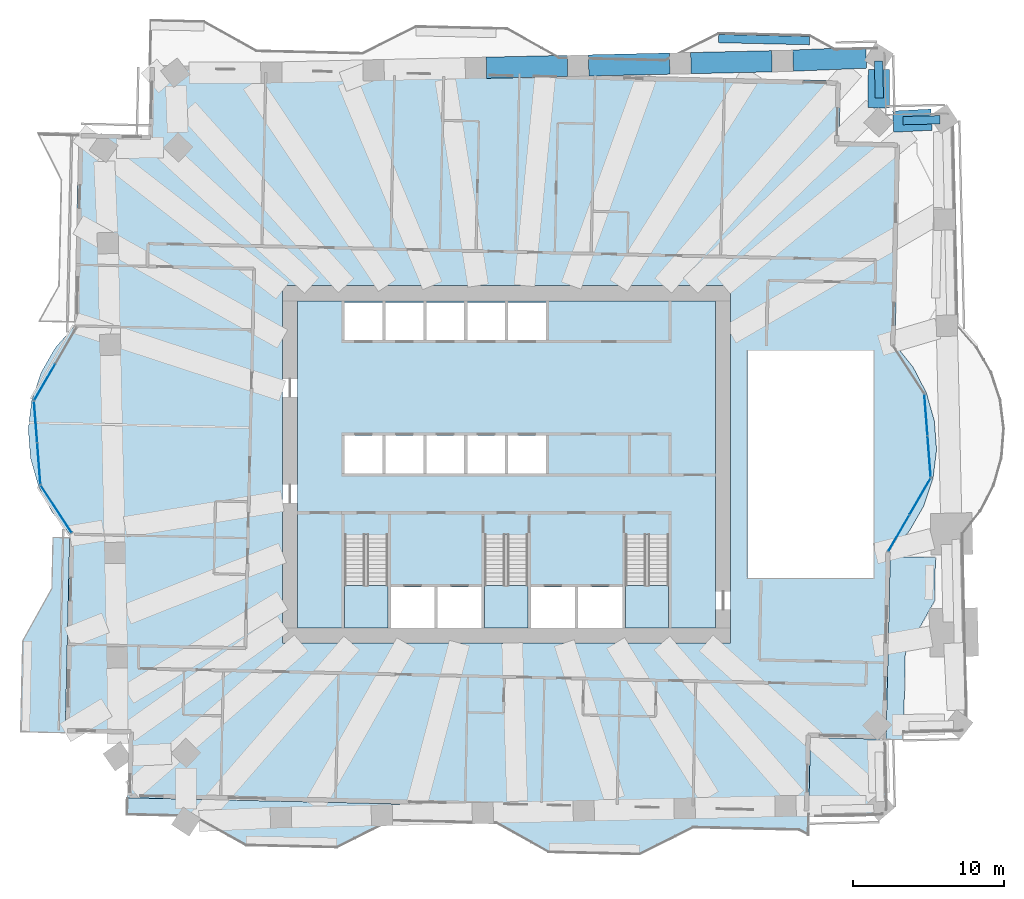
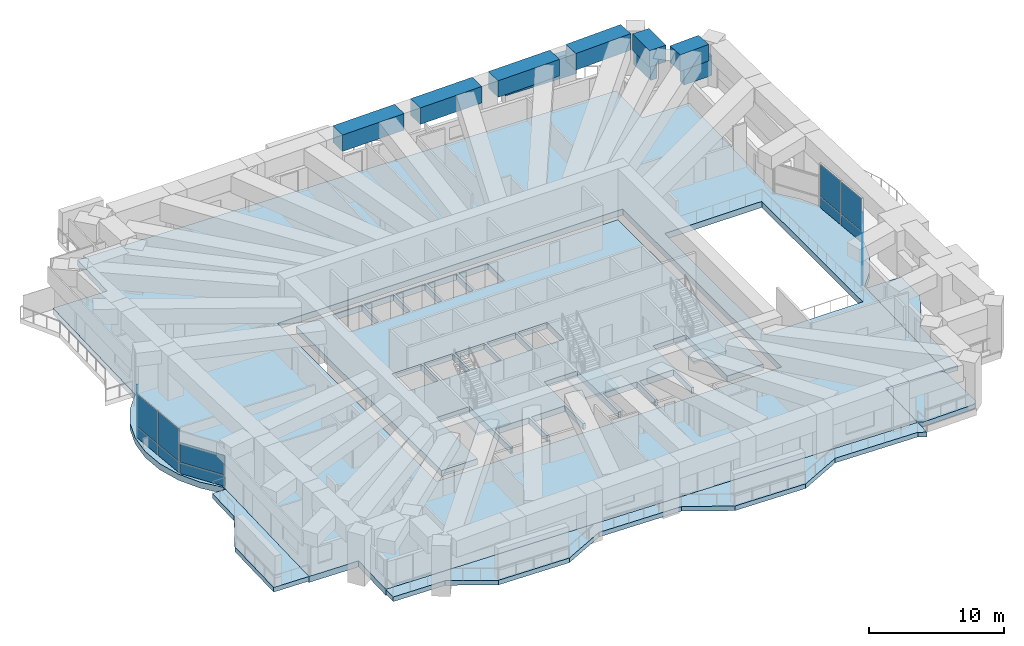
# One storey, part 8 of 20: 16 plates, 9 slabs, 6 beams, 3 members, 8 elements without a shape of their own.
"""IFC4 building model written with IfcOpenShell, lengths in metres."""

from ifc_helpers import new_model, si_unit, direction, frame, origin, origin_2d, place, context, subcontext, project, spatial, polyline, rectangle, outline, extrude, material, layer, layer_set, material_profile, profile_set, type_object, element, aggregate, save


model = new_model("IFC4")

# Units and contexts
model_context = context("Model", 3, precision=1e-05, world=origin(), true_north=direction((0.0, 1.0)))
body_context = subcontext(model_context, "Body", "Model", "MODEL_VIEW")
ifc_project = project(units=[si_unit("LENGTHUNIT", "METRE"), si_unit("AREAUNIT", "SQUARE_METRE"), si_unit("VOLUMEUNIT", "CUBIC_METRE"), si_unit("PLANEANGLEUNIT", "RADIAN"), si_unit("MASSUNIT", "GRAM", prefix="KILO")], contexts=[model_context])

# Site, building, storey
site_placement = place(None, origin())
site = spatial("IfcSite", under=ifc_project, at=site_placement, CompositionType="ELEMENT")
building_placement = place(site_placement, origin())
building = spatial("IfcBuilding", under=site, at=building_placement, Name="Mangrove Gate Tower", CompositionType="ELEMENT")
storey_placement = place(building_placement, frame((0.0, 0.0, 97.300048828125)))
storey = spatial("IfcBuildingStorey", under=building, at=storey_placement, Name="L24", CompositionType="ELEMENT", Elevation=97.300048828125)

# Members
ifc_material_1 = material(Name="Planting on aluminium trellis", Category="aluminium")
ifc_material_profile_1 = material_profile(ifc_material_1, rectangle(XDim=0.550048828125, YDim=2.0, at=origin_2d()))
ifc_profile_set_1 = profile_set([ifc_material_profile_1], Name="Planting on aluminium trellis")
member_type_1 = type_object("IfcMemberType", Name="Balcony greenery screen 550x2000", PredefinedType="USERDEFINED", material=ifc_profile_set_1)
member_placement = place(storey_placement, frame((14.0048828125, 28.117919921875, 1.800048828125), z_axis=(0.999743094499, -0.022665943652, 0.0), x_axis=(0.022665943652, 0.999743094499, 0.0)))
element("IfcMember", 1, at=member_placement, inside=storey, type_object=member_type_1, Name="GREEN SCREEN L24 N0.1", ObjectType="PLANTING", PredefinedType="USERDEFINED", context=body_context, shape_type="SweptSolid", body=[
    extrude(rectangle(XDim=0.550048828125, YDim=2.0, at=origin_2d()), origin(), (0.0, 0.0, 1.0), 5.99951171875),
])
ifc_material_2 = material(Name="Planting on aluminium trellis", Category="aluminium")
ifc_material_profile_2 = material_profile(ifc_material_2, rectangle(XDim=0.550048828125, YDim=1.800048828125, at=origin_2d()))
ifc_profile_set_2 = profile_set([ifc_material_profile_2], Name="Planting on aluminium trellis")
member_type_2 = type_object("IfcMemberType", Name="Roof greenery screen 550x1800", PredefinedType="USERDEFINED", material=ifc_profile_set_2)
for number, where, z_axis, x_axis, name in (
    (2, (24.56005859375, 26.626953125, 1.699951171875), (0.022935259676, -0.999736952335, 0.0), (0.999736952335, 0.022935259676, 0.0), "GREEN SCREEN L24 T1.1.6"),
    (3, (26.177001953125, 22.697998046875, 1.699951171875), (0.999746058046, 0.022534849034, 0.0), (-0.022534849034, 0.999746058046, 0.0), "GREEN SCREEN L24 T1.1.9"),
):
    element("IfcMember", number, at=place(storey_placement, frame(where, z_axis=z_axis, x_axis=x_axis)), inside=storey, type_object=member_type_2, Name=name, ObjectType="PLANTING", PredefinedType="USERDEFINED", context=body_context, shape_type="SweptSolid", body=[
        extrude(rectangle(XDim=0.550048828125, YDim=1.800048828125, at=origin_2d()), origin(), (0.0, 0.0, 1.0), 2.437744140625),
    ])

# Beams
ifc_material_3 = material(Name="Concrete C70/85", Category="concrete")
ifc_material_profile_3 = material_profile(ifc_material_3, rectangle(XDim=1.39990234375, YDim=1.5, at=origin_2d()))
ifc_profile_set_3 = profile_set([ifc_material_profile_3], Name="Concrete C70/85")
beam_type = type_object("IfcBeamType", Name="Transfer girder RC 1400x1500 C70/85", PredefinedType="BEAM", material=ifc_profile_set_3)
beam_1_placement = place(storey_placement, frame((28.0595703125, 22.76025390625, 3.300048828125), z_axis=(-0.998695122751, -0.051069088442, 0.0), x_axis=(0.051069088442, -0.998695122751, 0.0)))
element("IfcBeam", 4, at=beam_1_placement, inside=storey, type_object=beam_type, Name="Transfer ring girder L24 18", PredefinedType="BEAM", context=body_context, shape_type="SweptSolid", body=[
    extrude(rectangle(XDim=1.39990234375, YDim=1.5, at=origin_2d()), origin(), (0.0, 0.0, 1.0), 2.529052734375),
])
beam_2_placement = place(storey_placement, frame((24.57568359375, 23.547119140625, 3.300048828125), z_axis=(0.003483288012, 0.999993933334, 0.0), x_axis=(-0.999993933334, 0.003483288012, 0.0)))
element("IfcBeam", 5, at=beam_2_placement, inside=storey, type_object=beam_type, Name="Transfer ring girder L24 19", PredefinedType="BEAM", context=body_context, shape_type="SweptSolid", body=[
    extrude(rectangle(XDim=1.39990234375, YDim=1.5, at=origin_2d()), origin(), (0.0, 0.0, 1.0), 2.523193359375),
])
beam_3_placement = place(storey_placement, frame((23.74267578125, 26.857666015625, 3.300048828125), z_axis=(-0.999174978346, -0.040612346002, 0.0), x_axis=(0.040612346002, -0.999174978346, 0.0)))
element("IfcBeam", 6, at=beam_3_placement, inside=storey, type_object=beam_type, Name="Transfer ring girder L24 20", PredefinedType="BEAM", context=body_context, shape_type="SweptSolid", body=[
    extrude(rectangle(XDim=1.39990234375, YDim=1.5, at=origin_2d()), origin(), (0.0, 0.0, 1.0), 4.8271484375),
])
for number, where, z_axis, x_axis, name in (
    (7, (17.52001953125, 26.617431640625, 3.300048828125), (-0.999743035052, -0.022668565556, 0.0), (0.022668565556, -0.999743035052, 0.0), "Transfer ring girder L24 21"),
    (8, (10.76904296875, 26.46435546875, 3.300048828125), (-0.999743035052, -0.022668565556, 0.0), (0.022668565556, -0.999743035052, 0.0), "Transfer ring girder L24 22"),
):
    element("IfcBeam", number, at=place(storey_placement, frame(where, z_axis=z_axis, x_axis=x_axis)), inside=storey, type_object=beam_type, Name=name, PredefinedType="BEAM", context=body_context, shape_type="SweptSolid", body=[
        extrude(rectangle(XDim=1.39990234375, YDim=1.5, at=origin_2d()), origin(), (0.0, 0.0, 1.0), 5.352783203125),
    ])
beam_4_placement = place(storey_placement, frame((4.01806640625, 26.311279296875, 3.300048828125), z_axis=(-0.999743128778, -0.022664431647, 0.0), x_axis=(0.022664431647, -0.999743128778, 0.0)))
element("IfcBeam", 9, at=beam_4_placement, inside=storey, type_object=beam_type, Name="Transfer ring girder L24 23", PredefinedType="BEAM", context=body_context, shape_type="SweptSolid", body=[
    extrude(rectangle(XDim=1.39990234375, YDim=1.5, at=origin_2d()), origin(), (0.0, 0.0, 1.0), 5.353759765625),
])

# Slabs
ifc_material_4 = material(Name="Porcelain tile")
ifc_layer_1 = layer(ifc_material_4, 0.02001953125, Name="Tile finish")
ifc_material_5 = material(Name="Cement sand screed")
ifc_layer_2 = layer(ifc_material_5, 0.0400390625, Name="Screed laid to falls")
ifc_material_6 = material(Name="Bituminous waterproofing membrane")
ifc_layer_3 = layer(ifc_material_6, 0.00390625, Name="Waterproofing")
ifc_material_7 = material(Name="Concrete C40/50", Category="concrete")
ifc_layer_4 = layer(ifc_material_7, 0.340087890625, Name="Balcony structural slab")
ifc_material_8 = material(Name="Limestone", Category="masonry")
ifc_layer_5 = layer(ifc_material_8, 0.01611328125, Name="Soffit lining")
ifc_layer_set_1 = layer_set([ifc_layer_1, ifc_layer_2, ifc_layer_3, ifc_layer_4, ifc_layer_5], Name="Balcony slab 420 C40/50")
slab_type_1 = type_object("IfcSlabType", Name="Balcony slab 420 C40/50", PredefinedType="FLOOR", material=ifc_layer_set_1)
slab_1_placement = place(storey_placement, frame((0.0, 0.0, -0.420166015625)))
element("IfcSlab", 10, at=slab_1_placement, inside=storey, type_object=slab_type_1, Name="BALCONY L24 E0", PredefinedType="FLOOR", context=body_context, shape_type="SweptSolid", body=[
    extrude(outline(polyline([(26.200927734375, -18.18603515625), (26.330078125, -12.487060546875), (28.259033203125, -9.030029296875), (28.324951171875, -6.156005859375), (25.3349609375, -6.087890625), (25.27001953125, -8.9619140625), (25.19091796875, -12.4609375), (25.06103515625, -18.159912109375), (26.200927734375, -18.18603515625)])), origin(), (0.0, 0.0, 1.0), 0.420166015625),
])
slab_2_placement = place(storey_placement, frame((0.0, 0.0, -0.420166015625)))
element("IfcSlab", 11, at=slab_2_placement, inside=storey, type_object=slab_type_1, Name="BALCONY L24 W1", PredefinedType="FLOOR", context=body_context, shape_type="SweptSolid", body=[
    extrude(outline(polyline([(-29.998046875, -4.8330078125), (-30.074951171875, -8.20703125), (-32.00390625, -11.6640625), (-32.139892578125, -17.662109375), (-29.15087890625, -17.72998046875), (-29.014892578125, -11.73095703125), (-28.93505859375, -8.23193359375), (-28.85888671875, -4.85888671875), (-29.998046875, -4.8330078125)])), origin(), (0.0, 0.0, 1.0), 0.420166015625),
])
slab_3_placement = place(storey_placement, frame((0.0, 0.0, -0.420166015625)))
element("IfcSlab", 12, at=slab_3_placement, inside=storey, type_object=slab_type_1, Name="BALCONY L24 S0", PredefinedType="FLOOR", context=body_context, shape_type="SweptSolid", body=[
    extrude(outline(polyline([(-25.072998046875, -23.1640625), (-20.669921875, -23.263916015625), (-17.212890625, -25.193115234375), (-11.215087890625, -25.3291015625), (-7.673095703125, -23.55908203125), (-2.574951171875, -23.674072265625), (-0.675048828125, -23.718017578125), (2.781982421875, -25.64599609375), (8.780029296875, -25.782958984375), (12.321044921875, -24.012939453125), (19.320068359375, -24.1708984375), (19.916015625, -24.50390625), (19.948974609375, -23.044921875), (-25.047119140625, -22.02392578125), (-25.072998046875, -23.1640625)])), origin(), (0.0, 0.0, 1.0), 0.420166015625),
])
ifc_material_9 = material(Name="Concrete C40/50", Category="concrete")
ifc_layer_6 = layer(ifc_material_9, 0.550048828125)
ifc_layer_set_2 = layer_set([ifc_layer_6], Name="Core floor slab 550 C40/50")
slab_type_2 = type_object("IfcSlabType", Name="Core floor slab 550 C40/50", PredefinedType="FLOOR", material=ifc_layer_set_2)
slab_4_placement = place(storey_placement, frame((0.0, 0.0, -0.550048828125)))
element("IfcSlab", 13, at=slab_4_placement, inside=storey, type_object=slab_type_2, Name="SLAB-L24-CORE-1", PredefinedType="FLOOR", context=body_context, shape_type="SweptSolid", body=[
    extrude(outline(polyline([(-13.800048828125, -10.800048828125), (-13.800048828125, 10.800048828125), (13.800048828125, 10.800048828125), (13.800048828125, -10.800048828125), (10.699951171875, -10.800048828125), (10.699951171875, -4.653076171875), (7.85009765625, -4.653076171875), (7.85009765625, -10.800048828125), (7.64990234375, -10.800048828125), (7.64990234375, -8.10009765625), (4.72509765625, -8.10009765625), (4.72509765625, -10.800048828125), (4.52490234375, -10.800048828125), (4.52490234375, -8.10009765625), (1.60009765625, -8.10009765625), (1.60009765625, -10.800048828125), (1.39990234375, -10.800048828125), (1.39990234375, -4.653076171875), (-1.449951171875, -4.653076171875), (-1.449951171875, -10.800048828125), (-1.64990234375, -10.800048828125), (-1.64990234375, -8.10009765625), (-4.550048828125, -8.10009765625), (-4.550048828125, -10.800048828125), (-4.75, -10.800048828125), (-4.75, -8.10009765625), (-7.64990234375, -8.10009765625), (-7.64990234375, -10.800048828125), (-7.85009765625, -10.800048828125), (-7.85009765625, -4.653076171875), (-10.699951171875, -4.653076171875), (-10.699951171875, -10.800048828125), (-13.800048828125, -10.800048828125)]), holes=[polyline([(-8.199951171875, -0.60009765625), (-8.199951171875, 1.89990234375), (-10.699951171875, 1.89990234375), (-10.699951171875, -0.60009765625), (-8.199951171875, -0.60009765625)]), polyline([(-5.5, -0.60009765625), (-5.5, 1.89990234375), (-8.0, 1.89990234375), (-8.0, -0.60009765625), (-5.5, -0.60009765625)]), polyline([(-2.800048828125, -0.60009765625), (-2.800048828125, 1.89990234375), (-5.300048828125, 1.89990234375), (-5.300048828125, -0.60009765625), (-2.800048828125, -0.60009765625)]), polyline([(-8.199951171875, 8.199951171875), (-8.199951171875, 10.699951171875), (-10.699951171875, 10.699951171875), (-10.699951171875, 8.199951171875), (-8.199951171875, 8.199951171875)]), polyline([(-5.5, 8.199951171875), (-5.5, 10.699951171875), (-8.0, 10.699951171875), (-8.0, 8.199951171875), (-5.5, 8.199951171875)]), polyline([(-2.800048828125, 8.199951171875), (-2.800048828125, 10.699951171875), (-5.300048828125, 10.699951171875), (-5.300048828125, 8.199951171875), (-2.800048828125, 8.199951171875)]), polyline([(-0.10009765625, -0.60009765625), (-0.10009765625, 1.89990234375), (-2.60009765625, 1.89990234375), (-2.60009765625, -0.60009765625), (-0.10009765625, -0.60009765625)]), polyline([(2.60009765625, -0.60009765625), (2.60009765625, 1.89990234375), (0.10009765625, 1.89990234375), (0.10009765625, -0.60009765625), (2.60009765625, -0.60009765625)]), polyline([(-2.60009765625, 8.199951171875), (-0.10009765625, 8.199951171875), (-0.10009765625, 10.699951171875), (-2.60009765625, 10.699951171875), (-2.60009765625, 8.199951171875)]), polyline([(0.10009765625, 8.199951171875), (2.60009765625, 8.199951171875), (2.60009765625, 10.699951171875), (0.10009765625, 10.699951171875), (0.10009765625, 8.199951171875)])]), origin(), (0.0, 0.0, 1.0), 0.550048828125),
])

# Stair, slab
ifc_material_10 = material(Name="Concrete C40/50", Category="concrete")
stair_type = type_object("IfcStairType", Name="Core stair 1350", PredefinedType="HALF_TURN_STAIR", material=ifc_material_10)
stair_1_placement = place(storey_placement, origin())
stair_1 = element("IfcStair", 14, at=stair_1_placement, inside=storey, type_object=stair_type, Name="L24 Stair 1", PredefinedType="HALF_TURN_STAIR")
ifc_material_11 = material(Name="Concrete C40/50", Category="concrete")
ifc_layer_7 = layer(ifc_material_11, 0.199951171875)
ifc_layer_set_3 = layer_set([ifc_layer_7], Name="Core stair landing 200")
slab_type_3 = type_object("IfcSlabType", Name="Core stair landing 200", PredefinedType="LANDING", material=ifc_layer_set_3)
slab_5_placement = place(storey_placement, frame((0.0, 0.0, 2.099853515625)))
slab_5 = element("IfcSlab", 15, at=slab_5_placement, type_object=slab_type_3, Name="ST1 landing 1", PredefinedType="LANDING", context=body_context, shape_type="SweptSolid", body=[
    extrude(outline(polyline([(-10.699951171875, -8.010009765625), (-10.699951171875, -10.800048828125), (-7.85009765625, -10.800048828125), (-7.85009765625, -8.010009765625), (-10.699951171875, -8.010009765625)])), origin(), (0.0, 0.0, 1.0), 0.2001953125),
])
aggregate(stair_1, [slab_5])

stair_2_placement = place(storey_placement, origin())
stair_2 = element("IfcStair", 16, at=stair_2_placement, inside=storey, type_object=stair_type, Name="L24 Stair 2", PredefinedType="HALF_TURN_STAIR")
slab_6_placement = place(storey_placement, frame((0.0, 0.0, 2.099853515625)))
slab_6 = element("IfcSlab", 17, at=slab_6_placement, type_object=slab_type_3, Name="ST2 landing 1", PredefinedType="LANDING", context=body_context, shape_type="SweptSolid", body=[
    extrude(outline(polyline([(-1.449951171875, -8.010009765625), (-1.449951171875, -10.800048828125), (1.39990234375, -10.800048828125), (1.39990234375, -8.010009765625), (-1.449951171875, -8.010009765625)])), origin(), (0.0, 0.0, 1.0), 0.2001953125),
])
aggregate(stair_2, [slab_6])

stair_3_placement = place(storey_placement, origin())
stair_3 = element("IfcStair", 18, at=stair_3_placement, inside=storey, type_object=stair_type, Name="L24 Stair 3", PredefinedType="HALF_TURN_STAIR")
slab_7_placement = place(storey_placement, frame((0.0, 0.0, 2.099853515625)))
slab_7 = element("IfcSlab", 19, at=slab_7_placement, type_object=slab_type_3, Name="ST3 landing 1", PredefinedType="LANDING", context=body_context, shape_type="SweptSolid", body=[
    extrude(outline(polyline([(7.85009765625, -8.010009765625), (7.85009765625, -10.800048828125), (10.699951171875, -10.800048828125), (10.699951171875, -8.010009765625), (7.85009765625, -8.010009765625)])), origin(), (0.0, 0.0, 1.0), 0.2001953125),
])
aggregate(stair_3, [slab_7])

# Slab
ifc_material_12 = material(Name="Concrete C40/50", Category="concrete")
ifc_layer_8 = layer(ifc_material_12, 0.550048828125)
ifc_layer_set_4 = layer_set([ifc_layer_8], Name="Floor slab 550 C40/50")
slab_type_4 = type_object("IfcSlabType", Name="Floor slab 550 C40/50", PredefinedType="FLOOR", material=ifc_layer_set_4)
slab_8_placement = place(storey_placement, frame((0.0, 0.0, -0.550048828125)))
element("IfcSlab", 20, at=slab_8_placement, inside=storey, type_object=slab_type_4, Name="Floor slab L24", PredefinedType="FLOOR", context=body_context, shape_type="SweptSolid", body=[
    extrude(outline(polyline([(-25.047119140625, -22.024169921875), (19.94921875, -23.045166015625), (20.062744140625, -18.046630859375), (25.0615234375, -18.159912109375), (25.341064453125, -5.83837890625), (26.60400390625, -4.40185546875), (27.55712890625, -2.74365234375), (28.16259765625, -0.92919921875), (28.396240234375, 0.96923828125), (28.2490234375, 2.87646484375), (27.7265625, 4.71630859375), (26.849609375, 6.416259765625), (25.653076171875, 7.90869140625), (25.955322265625, 21.22998046875), (21.956298828125, 21.320556640625), (22.047119140625, 25.319580078125), (-23.549072265625, 26.354248046875), (-23.653564453125, 21.755615234375), (-28.25244140625, 21.85986328125), (-28.541015625, 9.138427734375), (-29.803955078125, 7.701904296875), (-30.757080078125, 6.043701171875), (-31.362548828125, 4.229248046875), (-31.59619140625, 2.330810546875), (-31.448974609375, 0.423583984375), (-30.926513671875, -1.41650390625), (-30.049560546875, -3.1162109375), (-28.85302734375, -4.608642578125), (-29.15087890625, -17.72998046875), (-24.951904296875, -17.8251953125), (-25.047119140625, -22.024169921875)]), holes=[polyline([(15.89990234375, 7.5), (24.22705078125, 7.5), (24.22705078125, -7.5), (15.89990234375, -7.5), (15.89990234375, 7.5)]), polyline([(-14.800048828125, -11.800048828125), (-14.800048828125, 11.800048828125), (14.800048828125, 11.800048828125), (14.800048828125, -11.800048828125), (-14.800048828125, -11.800048828125)])]), origin(), (0.0, 0.0, 1.0), 0.550048828125),
])

# Curtain wall, plates
ifc_material_13 = material(Name="Aluminium and glass curtain wall", Category="aluminium")
curtain_wall_type = type_object("IfcCurtainWallType", Name="Sky-lounge glazing wall", PredefinedType="NOTDEFINED", material=ifc_material_13)
curtain_wall_1_placement = place(storey_placement, origin())
curtain_wall_1 = element("IfcCurtainWall", 21, at=curtain_wall_1_placement, inside=storey, type_object=curtain_wall_type, Name="Sky-lounge glazing E1f1", PredefinedType="NOTDEFINED")
ifc_material_14 = material(Name="Laminated low-e glass", Category="glass")
ifc_layer_9 = layer(ifc_material_14, 0.030029296875)
ifc_layer_set_5 = layer_set([ifc_layer_9], Name="Sky-lounge glazing panel 30")
plate_type = type_object("IfcPlateType", Name="Sky-lounge glazing panel 30", PredefinedType="CURTAIN_PANEL", material=ifc_layer_set_5)
plate_1_placement = place(storey_placement, frame((25.905517578125, -4.54638671875, 0.0), z_axis=(0.0, 0.0, 1.0), x_axis=(0.500418160284, 0.865783844189, 0.0)))
plate_1 = element("IfcPlate", 22, at=plate_1_placement, type_object=plate_type, Name="CWK panel 1.1", PredefinedType="CURTAIN_PANEL", context=body_context, shape_type="SweptSolid", body=[
    extrude(rectangle(XDim=2.73095703125, YDim=0.030029296875, at=origin_2d()), origin(), (0.0, 0.0, 1.0), 0.969970703125),
])
plate_2_placement = place(storey_placement, frame((25.905517578125, -4.54638671875, 1.02978515625), z_axis=(0.0, 0.0, 1.0), x_axis=(0.500418160284, 0.865783844189, 0.0)))
plate_2 = element("IfcPlate", 23, at=plate_2_placement, type_object=plate_type, Name="CWK panel 1.2", PredefinedType="CURTAIN_PANEL", context=body_context, shape_type="SweptSolid", body=[
    extrude(rectangle(XDim=2.73095703125, YDim=0.030029296875, at=origin_2d()), origin(), (0.0, 0.0, 1.0), 1.760009765625),
])
plate_3_placement = place(storey_placement, frame((27.30224609375, -2.130126953125, 0.0), z_axis=(0.0, 0.0, 1.0), x_axis=(0.500418160284, 0.865783844189, 0.0)))
plate_3 = element("IfcPlate", 24, at=plate_3_placement, type_object=plate_type, Name="CWK panel 2.1", PredefinedType="CURTAIN_PANEL", context=body_context, shape_type="SweptSolid", body=[
    extrude(rectangle(XDim=2.73095703125, YDim=0.030029296875, at=origin_2d()), origin(), (0.0, 0.0, 1.0), 0.969970703125),
])
plate_4_placement = place(storey_placement, frame((27.30224609375, -2.130126953125, 1.02978515625), z_axis=(0.0, 0.0, 1.0), x_axis=(0.500418160284, 0.865783844189, 0.0)))
plate_4 = element("IfcPlate", 25, at=plate_4_placement, type_object=plate_type, Name="CWK panel 2.2", PredefinedType="CURTAIN_PANEL", context=body_context, shape_type="SweptSolid", body=[
    extrude(rectangle(XDim=2.73095703125, YDim=0.030029296875, at=origin_2d()), origin(), (0.0, 0.0, 1.0), 1.760009765625),
])
aggregate(curtain_wall_1, [plate_1, plate_2, plate_3, plate_4])

curtain_wall_2_placement = place(storey_placement, origin())
curtain_wall_2 = element("IfcCurtainWall", 26, at=curtain_wall_2_placement, inside=storey, type_object=curtain_wall_type, Name="Sky-lounge glazing E1f2", PredefinedType="NOTDEFINED")
plate_5_placement = place(storey_placement, frame((27.906982421875, 0.50830078125, 0.0), z_axis=(0.0, 0.0, 1.0), x_axis=(-0.077023348229, 0.997029289353, 0.0)))
plate_5 = element("IfcPlate", 27, at=plate_5_placement, type_object=plate_type, Name="CWK panel 1.1", PredefinedType="CURTAIN_PANEL", context=body_context, shape_type="SweptSolid", body=[
    extrude(rectangle(XDim=2.69677734375, YDim=0.030029296875, at=origin_2d()), origin(), (0.0, 0.0, 1.0), 0.969970703125),
])
plate_6_placement = place(storey_placement, frame((27.906982421875, 0.50830078125, 1.030029296875), z_axis=(0.0, 0.0, 1.0), x_axis=(-0.077023348229, 0.997029289353, 0.0)))
plate_6 = element("IfcPlate", 28, at=plate_6_placement, type_object=plate_type, Name="CWK panel 1.2", PredefinedType="CURTAIN_PANEL", context=body_context, shape_type="SweptSolid", body=[
    extrude(rectangle(XDim=2.69677734375, YDim=0.030029296875, at=origin_2d()), origin(), (0.0, 0.0, 1.0), 2.9599609375),
])
plate_7_placement = place(storey_placement, frame((27.69482421875, 3.2568359375, 0.0), z_axis=(0.0, 0.0, 1.0), x_axis=(-0.077023348229, 0.997029289353, 0.0)))
plate_7 = element("IfcPlate", 29, at=plate_7_placement, type_object=plate_type, Name="CWK panel 2.1", PredefinedType="CURTAIN_PANEL", context=body_context, shape_type="SweptSolid", body=[
    extrude(rectangle(XDim=2.69677734375, YDim=0.030029296875, at=origin_2d()), origin(), (0.0, 0.0, 1.0), 0.969970703125),
])
plate_8_placement = place(storey_placement, frame((27.69482421875, 3.2568359375, 1.030029296875), z_axis=(0.0, 0.0, 1.0), x_axis=(-0.077023348229, 0.997029289353, 0.0)))
plate_8 = element("IfcPlate", 30, at=plate_8_placement, type_object=plate_type, Name="CWK panel 2.2", PredefinedType="CURTAIN_PANEL", context=body_context, shape_type="SweptSolid", body=[
    extrude(rectangle(XDim=2.69677734375, YDim=0.030029296875, at=origin_2d()), origin(), (0.0, 0.0, 1.0), 2.9599609375),
])
aggregate(curtain_wall_2, [plate_5, plate_6, plate_7, plate_8])

curtain_wall_3_placement = place(storey_placement, origin())
curtain_wall_3 = element("IfcCurtainWall", 31, at=curtain_wall_3_placement, inside=storey, type_object=curtain_wall_type, Name="Sky-lounge glazing W9f1", PredefinedType="NOTDEFINED")
plate_9_placement = place(storey_placement, frame((-30.502197265625, 5.429931640625, 0.0), z_axis=(0.0, 0.0, 1.0), x_axis=(-0.500418160284, -0.865783844189, 0.0)))
plate_9 = element("IfcPlate", 32, at=plate_9_placement, type_object=plate_type, Name="CWK panel 2.1", PredefinedType="CURTAIN_PANEL", context=body_context, shape_type="SweptSolid", body=[
    extrude(rectangle(XDim=2.73095703125, YDim=0.030029296875, at=origin_2d()), origin(), (0.0, 0.0, 1.0), 0.969970703125),
])
plate_10_placement = place(storey_placement, frame((-30.502197265625, 5.429931640625, 1.02978515625), z_axis=(0.0, 0.0, 1.0), x_axis=(-0.500418160284, -0.865783844189, 0.0)))
plate_10 = element("IfcPlate", 33, at=plate_10_placement, type_object=plate_type, Name="CWK panel 2.2", PredefinedType="CURTAIN_PANEL", context=body_context, shape_type="SweptSolid", body=[
    extrude(rectangle(XDim=2.73095703125, YDim=0.030029296875, at=origin_2d()), origin(), (0.0, 0.0, 1.0), 1.760009765625),
])
aggregate(curtain_wall_3, [plate_9, plate_10])

curtain_wall_4_placement = place(storey_placement, origin())
curtain_wall_4 = element("IfcCurtainWall", 34, at=curtain_wall_4_placement, inside=storey, type_object=curtain_wall_type, Name="Sky-lounge glazing W9f2", PredefinedType="NOTDEFINED")
plate_11_placement = place(storey_placement, frame((-31.107177734375, 2.791748046875, 0.0), z_axis=(0.0, 0.0, 1.0), x_axis=(0.077023348229, -0.997029289353, 0.0)))
plate_11 = element("IfcPlate", 35, at=plate_11_placement, type_object=plate_type, Name="CWK panel 1.1", PredefinedType="CURTAIN_PANEL", context=body_context, shape_type="SweptSolid", body=[
    extrude(rectangle(XDim=2.69677734375, YDim=0.030029296875, at=origin_2d()), origin(), (0.0, 0.0, 1.0), 0.969970703125),
])
plate_12_placement = place(storey_placement, frame((-31.107177734375, 2.791748046875, 1.030029296875), z_axis=(0.0, 0.0, 1.0), x_axis=(0.077023348229, -0.997029289353, 0.0)))
plate_12 = element("IfcPlate", 36, at=plate_12_placement, type_object=plate_type, Name="CWK panel 1.2", PredefinedType="CURTAIN_PANEL", context=body_context, shape_type="SweptSolid", body=[
    extrude(rectangle(XDim=2.69677734375, YDim=0.030029296875, at=origin_2d()), origin(), (0.0, 0.0, 1.0), 2.9599609375),
])
plate_13_placement = place(storey_placement, frame((-30.894775390625, 0.043212890625, 0.0), z_axis=(0.0, 0.0, 1.0), x_axis=(0.077023348229, -0.997029289353, 0.0)))
plate_13 = element("IfcPlate", 37, at=plate_13_placement, type_object=plate_type, Name="CWK panel 2.1", PredefinedType="CURTAIN_PANEL", context=body_context, shape_type="SweptSolid", body=[
    extrude(rectangle(XDim=2.69677734375, YDim=0.030029296875, at=origin_2d()), origin(), (0.0, 0.0, 1.0), 0.969970703125),
])
plate_14_placement = place(storey_placement, frame((-30.894775390625, 0.043212890625, 1.030029296875), z_axis=(0.0, 0.0, 1.0), x_axis=(0.077023348229, -0.997029289353, 0.0)))
plate_14 = element("IfcPlate", 38, at=plate_14_placement, type_object=plate_type, Name="CWK panel 2.2", PredefinedType="CURTAIN_PANEL", context=body_context, shape_type="SweptSolid", body=[
    extrude(rectangle(XDim=2.69677734375, YDim=0.030029296875, at=origin_2d()), origin(), (0.0, 0.0, 1.0), 2.9599609375),
])
aggregate(curtain_wall_4, [plate_11, plate_12, plate_13, plate_14])

curtain_wall_5_placement = place(storey_placement, origin())
curtain_wall_5 = element("IfcCurtainWall", 39, at=curtain_wall_5_placement, inside=storey, type_object=curtain_wall_type, Name="Sky-lounge glazing W9f3", PredefinedType="NOTDEFINED")
plate_15_placement = place(storey_placement, frame((-29.744140625, -2.959228515625, 0.0), z_axis=(0.0, 0.0, 1.0), x_axis=(0.546235085235, -0.837631918959, 0.0)))
plate_15 = element("IfcPlate", 40, at=plate_15_placement, type_object=plate_type, Name="CWK panel 1.1", PredefinedType="CURTAIN_PANEL", context=body_context, shape_type="SweptSolid", body=[
    extrude(rectangle(XDim=3.696044921875, YDim=0.030029296875, at=origin_2d()), origin(), (0.0, 0.0, 1.0), 0.969970703125),
])
plate_16_placement = place(storey_placement, frame((-29.744140625, -2.959228515625, 1.02978515625), z_axis=(0.0, 0.0, 1.0), x_axis=(0.546235085235, -0.837631918959, 0.0)))
plate_16 = element("IfcPlate", 41, at=plate_16_placement, type_object=plate_type, Name="CWK panel 1.2", PredefinedType="CURTAIN_PANEL", context=body_context, shape_type="SweptSolid", body=[
    extrude(rectangle(XDim=3.696044921875, YDim=0.030029296875, at=origin_2d()), origin(), (0.0, 0.0, 1.0), 1.760009765625),
])
aggregate(curtain_wall_5, [plate_15, plate_16])

# Slab
ifc_material_15 = material(Name="Granite", Category="masonry")
ifc_layer_10 = layer(ifc_material_15, 0.030029296875, Name="Granite paving")
ifc_layer_11 = layer(ifc_material_5, 0.0400390625, Name="Bedding screed")
ifc_layer_12 = layer(ifc_material_6, 0.0048828125, Name="Waterproofing")
ifc_material_16 = material(Name="Extruded polystyrene insulation")
ifc_layer_13 = layer(ifc_material_16, 0.0400390625, Name="Insulation")
ifc_layer_14 = layer(ifc_material_7, 0.304931640625, Name="Terrace structural slab")
ifc_layer_set_6 = layer_set([ifc_layer_10, ifc_layer_11, ifc_layer_12, ifc_layer_13, ifc_layer_14], Name="Terrace slab C40/50")
slab_type_5 = type_object("IfcSlabType", Name="Terrace slab C40/50", PredefinedType="FLOOR", material=ifc_layer_set_6)
slab_9_placement = place(storey_placement, frame((0.0, 0.0, -0.420166015625)))
element("IfcSlab", 42, at=slab_9_placement, inside=storey, type_object=slab_type_5, Name="TERRACE L24 2", PredefinedType="FLOOR", context=body_context, shape_type="SweptSolid", body=[
    extrude(outline(polyline([(20.468017578125, -23.22802734375), (24.60400390625, -23.134033203125), (24.653076171875, -23.131103515625), (24.701904296875, -23.123046875), (24.7490234375, -23.110107421875), (24.794921875, -23.092041015625), (24.839111328125, -23.070068359375), (24.8798828125, -23.0439453125), (24.9189453125, -23.013916015625), (24.9541015625, -22.97998046875), (24.986083984375, -22.943115234375), (25.014892578125, -22.903076171875), (25.0390625, -22.860107421875), (25.05908203125, -22.81494140625), (25.074951171875, -22.76904296875), (25.0849609375, -22.720947265625), (25.091064453125, -22.672119140625), (25.093017578125, -22.623046875), (25.001953125, -18.635986328125), (24.9990234375, -18.589111328125), (24.990966796875, -18.5419921875), (24.97900390625, -18.49609375), (24.9619140625, -18.450927734375), (24.94091796875, -18.407958984375), (24.9169921875, -18.366943359375), (24.887939453125, -18.3291015625), (24.85595703125, -18.2939453125), (24.821044921875, -18.261962890625), (24.782958984375, -18.23291015625), (24.741943359375, -18.2080078125), (24.698974609375, -18.18798828125), (24.654052734375, -18.1708984375), (24.60791015625, -18.158935546875), (24.56103515625, -18.15087890625), (24.513916015625, -18.14794921875), (20.56298828125, -18.05810546875), (20.513916015625, -18.05908203125), (20.465087890625, -18.06494140625), (20.4169921875, -18.075927734375), (20.3701171875, -18.092041015625), (20.325927734375, -18.112060546875), (20.282958984375, -18.135986328125), (20.242919921875, -18.1640625), (20.2060546875, -18.196044921875), (20.172119140625, -18.23193359375), (20.14208984375, -18.27099609375), (20.115966796875, -18.31201171875), (20.093994140625, -18.35595703125), (20.075927734375, -18.402099609375), (20.06298828125, -18.448974609375), (20.054931640625, -18.4970703125), (20.051025390625, -18.5458984375), (19.95703125, -22.717041015625), (19.9580078125, -22.76806640625), (19.965087890625, -22.818115234375), (19.97607421875, -22.866943359375), (19.992919921875, -22.9150390625), (20.013916015625, -22.9599609375), (20.0390625, -23.00390625), (20.069091796875, -23.044921875), (20.10302734375, -23.08203125), (20.139892578125, -23.115966796875), (20.180908203125, -23.14599609375), (20.22509765625, -23.1708984375), (20.27099609375, -23.193115234375), (20.318115234375, -23.208984375), (20.366943359375, -23.219970703125), (20.4169921875, -23.22705078125), (20.468017578125, -23.22802734375)])), origin(), (0.0, 0.0, 1.0), 0.420166015625),
])

save(model, "model.ifc")
